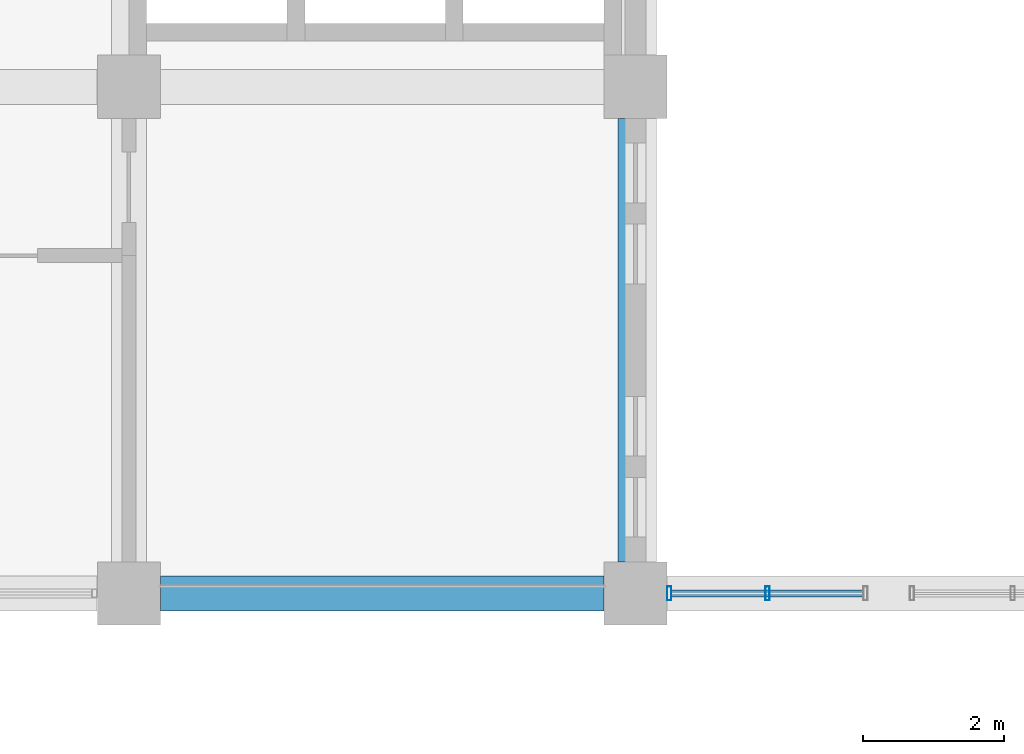
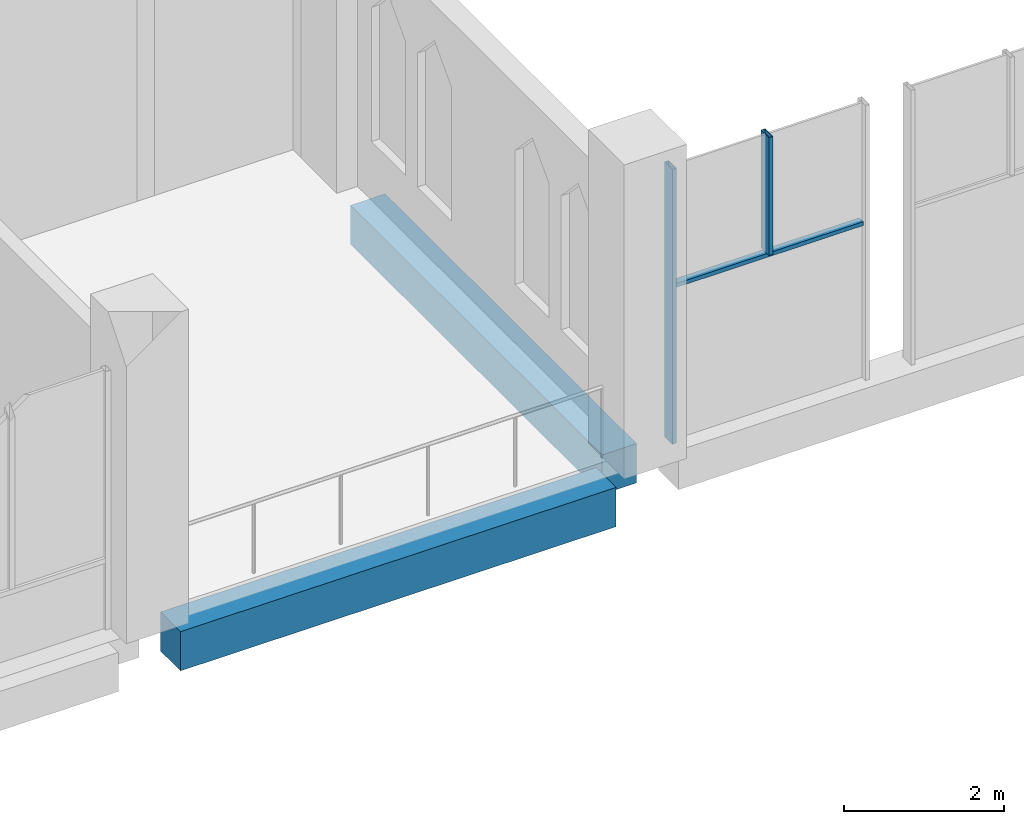
# One storey, part 11 of 30: 3 members, 2 beams, 1 element without a shape of its own.
"""IFC4 building model written with IfcOpenShell, lengths in metres."""

from ifc_helpers import new_model, si_unit, direction, frame, origin, origin_2d, place, context, subcontext, project, spatial, rectangle, hollow_rectangle, extrude, material, material_profile, profile_set, type_object, element, aggregate, save


model = new_model("IFC4")

# Units and contexts
model_context = context("Model", 3, precision=1e-05, world=origin(), true_north=direction((0.0, 1.0)))
body_context = subcontext(model_context, "Body", "Model", "MODEL_VIEW")
ifc_project = project(units=[si_unit("LENGTHUNIT", "METRE"), si_unit("AREAUNIT", "SQUARE_METRE"), si_unit("VOLUMEUNIT", "CUBIC_METRE"), si_unit("PLANEANGLEUNIT", "RADIAN"), si_unit("MASSUNIT", "GRAM", prefix="KILO")], contexts=[model_context])

# Site, building, storey
site_placement = place(None, origin())
site = spatial("IfcSite", under=ifc_project, at=site_placement, CompositionType="ELEMENT")
building_placement = place(site_placement, origin())
building = spatial("IfcBuilding", under=site, at=building_placement, Name="Silangan Lancet Faculty of Sciences", CompositionType="ELEMENT")
storey_placement = place(building_placement, frame((0.0, 0.0, 31.199951171875)))
storey = spatial("IfcBuildingStorey", under=building, at=storey_placement, Name="L06", CompositionType="ELEMENT", Elevation=31.199951171875)

# Beams
ifc_material_1 = material(Name="Concrete C40/50", Category="concrete")
ifc_material_profile_1 = material_profile(ifc_material_1, rectangle(XDim=0.5, YDim=0.60009765625, at=origin_2d()), Name="RC 500x600")
ifc_profile_set_1 = profile_set([ifc_material_profile_1], Name="Concrete C40/50")
beam_type = type_object("IfcBeamType", Name="BEAM RC 500x600", PredefinedType="BEAM", material=ifc_profile_set_1)
for number, where, z_axis, x_axis, name in (
    (1, (22.050048828125, 36.0, -0.550048828125), (1.0, 0.0, 0.0), (0.0, 1.0, 0.0), "BM-L06-4F-5F"),
    (2, (28.800048828125, 36.449951171875, -0.550048828125), (0.0, 1.0, 0.0), (-1.0, 0.0, 0.0), "BM-L06-5F-5G"),
):
    element("IfcBeam", number, at=place(storey_placement, frame(where, z_axis=z_axis, x_axis=x_axis)), inside=storey, type_object=beam_type, Name=name, PredefinedType="BEAM", context=body_context, shape_type="SweptSolid", body=[
        extrude(rectangle(XDim=0.5, YDim=0.60009765625, at=origin_2d()), origin(), (0.0, 0.0, 1.0), 6.300048828125),
    ])

# Curtain wall, members
ifc_material_2 = material(Name="Aluminium framed curtain wall with insulated glass", Category="aluminium")
curtain_wall_type = type_object("IfcCurtainWallType", Name="CW5 Nave north light glazing", PredefinedType="NOTDEFINED", material=ifc_material_2)
curtain_wall_placement = place(storey_placement, origin())
curtain_wall = element("IfcCurtainWall", 3, at=curtain_wall_placement, inside=storey, type_object=curtain_wall_type, Name="CW5 Nave north lights L06 bay 6", PredefinedType="NOTDEFINED")
ifc_material_3 = material(Name="Aluminium 6063-T6 extrusion", Category="aluminium")
ifc_material_profile_2 = material_profile(ifc_material_3, hollow_rectangle(XDim=0.06005859375, YDim=0.199951171875, WallThickness=0.00390625, at=origin_2d()), Name="AL BOX 60x200x4")
ifc_profile_set_2 = profile_set([ifc_material_profile_2], Name="Aluminium 6063-T6 extrusion")
member_type_1 = type_object("IfcMemberType", Name="CM1 Mullion 60x200", PredefinedType="MULLION", material=ifc_profile_set_2)
member_1_placement = place(storey_placement, frame((29.280029296875, 36.0, 0.0), z_axis=(0.0, 0.0, 1.0), x_axis=(-1.0, 0.0, 0.0)))
member_1 = element("IfcMember", 4, at=member_1_placement, type_object=member_type_1, Name="CW5 Nave north lights L06 bay 6 mullion 2", PredefinedType="MULLION", context=body_context, shape_type="SweptSolid", body=[
    extrude(hollow_rectangle(XDim=0.06005859375, YDim=0.199951171875, WallThickness=0.00390625, at=origin_2d()), origin(), (0.0, 0.0, 1.0), 4.199951171875),
])
member_2_placement = place(storey_placement, frame((30.675048828125, 36.0, 2.400146484375), z_axis=(0.0, 0.0, 1.0), x_axis=(-1.0, 0.0, 0.0)))
member_2 = element("IfcMember", 5, at=member_2_placement, type_object=member_type_1, Name="CW5 Nave north lights L06 bay 6 mullion 3", PredefinedType="MULLION", context=body_context, shape_type="SweptSolid", body=[
    extrude(hollow_rectangle(XDim=0.06005859375, YDim=0.199951171875, WallThickness=0.00390625, at=origin_2d()), origin(), (0.0, 0.0, 1.0), 1.7998046875),
])
ifc_material_4 = material(Name="Aluminium 6063-T6 extrusion", Category="aluminium")
ifc_material_profile_3 = material_profile(ifc_material_4, hollow_rectangle(XDim=0.10009765625, YDim=0.06005859375, WallThickness=0.0029296875, at=origin_2d()), Name="AL BOX 100x60x3")
ifc_profile_set_3 = profile_set([ifc_material_profile_3], Name="Aluminium 6063-T6 extrusion")
member_type_2 = type_object("IfcMemberType", Name="CT1 Transom 100x60", PredefinedType="USERDEFINED", material=ifc_profile_set_3)
member_3_placement = place(storey_placement, frame((32.039794921875, 36.0, 2.3701171875), z_axis=(-1.0, 0.0, 0.0), x_axis=(0.0, -1.0, 0.0)))
member_3 = element("IfcMember", 6, at=member_3_placement, type_object=member_type_2, Name="CW5 Nave north lights L06 bay 6 transom 1", ObjectType="TRANSOM", PredefinedType="USERDEFINED", context=body_context, shape_type="SweptSolid", body=[
    extrude(hollow_rectangle(XDim=0.10009765625, YDim=0.06005859375, WallThickness=0.0029296875, at=origin_2d()), origin(), (0.0, 0.0, 1.0), 2.729736328125),
])
aggregate(curtain_wall, [member_1, member_2, member_3])

save(model, "model.ifc")
